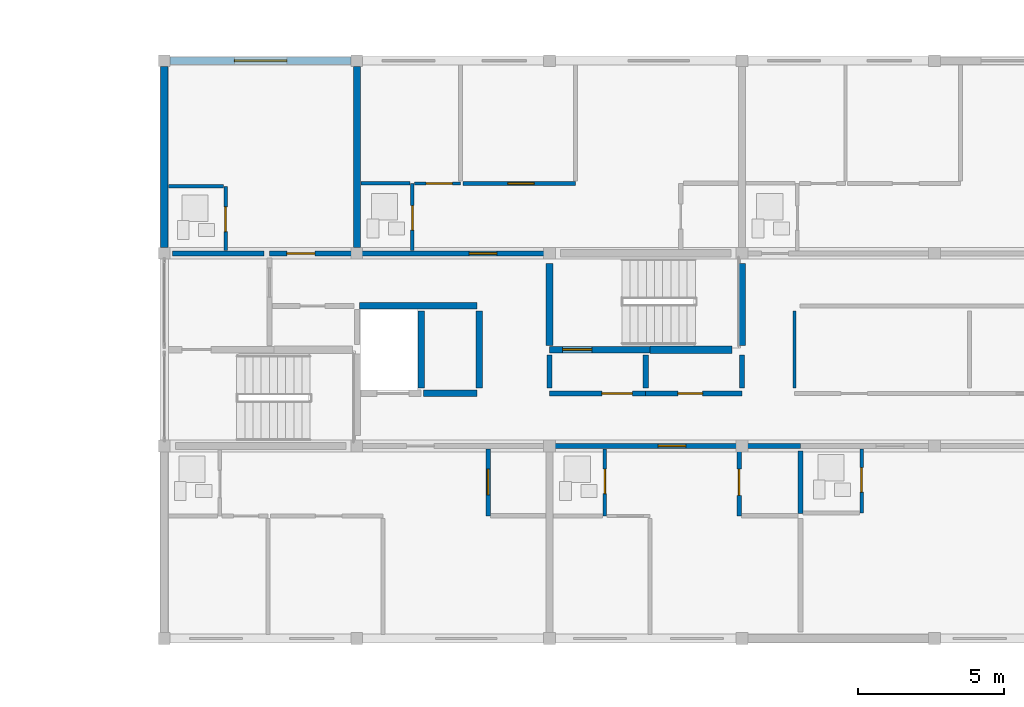
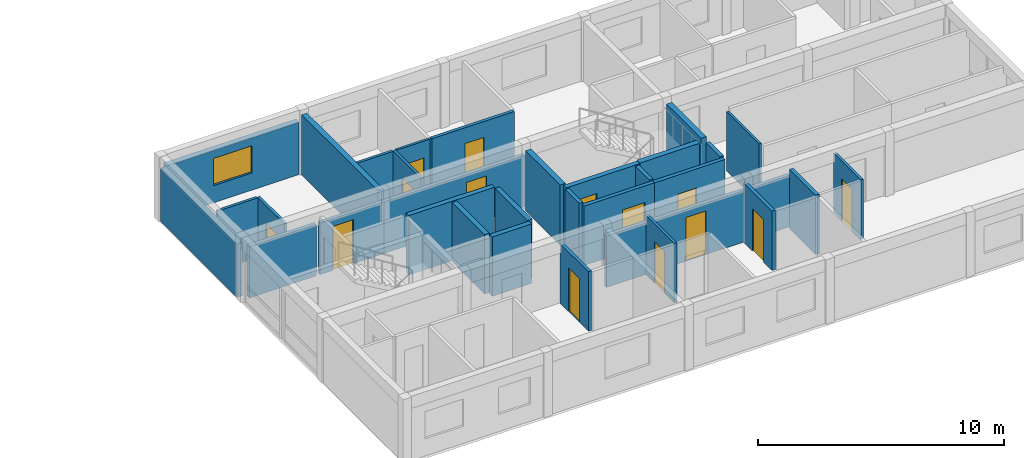
# One storey, part 25 of 34: 32 walls, 14 doors, 1 window, 15 openings.
"""IFC4 building model written with IfcOpenShell, lengths in metres."""

from ifc_helpers import new_model, si_unit, direction, frame, frame_2d, origin, place, context, subcontext, project, spatial, rectangle, extrude, material, layer, layer_set, type_object, element, fill, save


model = new_model("IFC4")

# Units and contexts
model_context = context("Model", 3, precision=1e-05, world=origin(), true_north=direction((0.0, 1.0)))
body_context = subcontext(model_context, "Body", "Model", "MODEL_VIEW")
ifc_project = project(units=[si_unit("LENGTHUNIT", "METRE"), si_unit("AREAUNIT", "SQUARE_METRE"), si_unit("VOLUMEUNIT", "CUBIC_METRE"), si_unit("PLANEANGLEUNIT", "RADIAN"), si_unit("MASSUNIT", "GRAM", prefix="KILO")], contexts=[model_context])

# Site, building, storey
site_placement = place(None, origin())
site = spatial("IfcSite", under=ifc_project, at=site_placement, CompositionType="ELEMENT")
building_placement = place(site_placement, origin())
building = spatial("IfcBuilding", under=site, at=building_placement, Name="Kernevlak Ridge Housing Community", CompositionType="ELEMENT")
storey_placement = place(building_placement, frame((0.0, 0.0, 40.39990234375)))
storey = spatial("IfcBuildingStorey", under=building, at=storey_placement, Name="L12", CompositionType="ELEMENT", Elevation=40.39990234375)

# Wall, opening, window
ifc_material_1 = material(Name="Concrete block masonry M10", Category="masonry")
ifc_layer_1 = layer(ifc_material_1, 0.260009765625, Name="Concrete block masonry M10")
ifc_layer_set_1 = layer_set([ifc_layer_1], Name="Concrete block masonry M10")
wall_type_1 = type_object("IfcWallType", Name="EW-05", PredefinedType="STANDARD", material=ifc_layer_set_1)
wall_1_placement = place(storey_placement, frame((119.60009765625, 102.39990234375, 0.0), z_axis=(0.0, 0.0, 1.0), x_axis=(1.0, 0.0, 0.0)))
wall_1 = element("IfcWall", 1, at=wall_1_placement, inside=storey, type_object=wall_type_1, Name="Exterior wall EW-05 L12 488", PredefinedType="STANDARD", context=body_context, shape_type="SweptSolid", body=[
    extrude(rectangle(XDim=6.199951171875, YDim=0.260009765625, at=frame_2d((3.10009765625, 0.0))), origin(), (0.0, 0.0, 1.0), 2.60009765625),
])
opening_1_placement = place(wall_1_placement, frame((2.199951171875, 0.0, 0.85009765625)))
opening_1 = element("IfcOpeningElement", 2, at=opening_1_placement, cuts=wall_1, Name="Opening WT-03", PredefinedType="OPENING", context=body_context, shape_type="SweptSolid", body=[
    extrude(rectangle(XDim=1.800048828125, YDim=1.35009765625, at=frame_2d((0.89990234375, 0.675048828125))), frame((0.0, 0.139892578125, 0.0), z_axis=(0.0, -1.0, 0.0), x_axis=(1.0, 0.0, 0.0)), (0.0, 0.0, 1.0), 0.280029296875),
])
ifc_material_2 = material(Name="Aluminium EN AW-6060 anodised and laminated glass", Category="aluminium")
window_type = type_object("IfcWindowType", Name="WT-03", PartitioningType="SINGLE_PANEL", PredefinedType="WINDOW", material=ifc_material_2)
window_placement = place(opening_1_placement, origin())
window = element("IfcWindow", 3, at=window_placement, inside=storey, type_object=window_type, Name="Window WT-03 L12 380", OverallHeight=1.35009765625, OverallWidth=1.800048828125, PartitioningType="SINGLE_PANEL", PredefinedType="WINDOW", context=body_context, shape_type="SweptSolid", body=[
    extrude(rectangle(XDim=1.800048828125, YDim=1.35009765625, at=frame_2d((0.89990234375, 0.675048828125))), frame((0.0, 0.030029296875, 0.0), z_axis=(0.0, -1.0, 0.0), x_axis=(1.0, 0.0, 0.0)), (0.0, 0.0, 1.0), 0.06005859375),
])
fill(opening_1, window)

# Walls
wall_2_placement = place(storey_placement, frame((119.39990234375, 96.0, 0.0), z_axis=(0.0, 0.0, 1.0), x_axis=(0.0, 1.0, 0.0)))
element("IfcWall", 4, at=wall_2_placement, inside=storey, type_object=wall_type_1, Name="Exterior wall EW-05 L12 496", PredefinedType="STANDARD", context=body_context, shape_type="SweptSolid", body=[
    extrude(rectangle(XDim=6.199951171875, YDim=0.260009765625, at=frame_2d((3.10009765625, 0.0))), origin(), (0.0, 0.0, 1.0), 2.650146484375),
])
ifc_material_3 = material(Name="Concrete C35/45", Category="concrete")
ifc_layer_2 = layer(ifc_material_3, 0.22509765625, Name="Concrete C35/45")
ifc_layer_set_2 = layer_set([ifc_layer_2], Name="Concrete C35/45")
wall_type_2 = type_object("IfcWallType", Name="PW-01", PredefinedType="STANDARD", material=ifc_layer_set_2)
wall_3_placement = place(storey_placement, frame((128.280029296875, 91.0, 0.0), z_axis=(0.0, 0.0, 1.0), x_axis=(1.0, 0.0, 0.0)))
element("IfcWall", 5, at=wall_3_placement, inside=storey, type_object=wall_type_2, Name="Interior wall PW-01 WAL-INT-L12-1896", PredefinedType="STANDARD", context=body_context, shape_type="SweptSolid", body=[
    extrude(rectangle(XDim=1.840087890625, YDim=0.22509765625, at=frame_2d((0.919921875, 0.0))), origin(), (0.0, 0.0, 1.0), 2.945068359375),
])
wall_4_placement = place(storey_placement, frame((126.097412109375, 94.0, 0.0), z_axis=(0.0, 0.0, 1.0), x_axis=(1.0, 0.0, 0.0)))
element("IfcWall", 6, at=wall_4_placement, inside=storey, type_object=wall_type_2, Name="Interior wall PW-01 WAL-INT-L12-1897", PredefinedType="STANDARD", context=body_context, shape_type="SweptSolid", body=[
    extrude(rectangle(XDim=4.022705078125, YDim=0.22509765625, at=frame_2d((2.01123046875, 0.0))), origin(), (0.0, 0.0, 1.0), 2.945068359375),
])
for number, where, z_axis, x_axis, name in (
    (7, (128.199951171875, 91.179931640625, 0.0), (0.0, 0.0, 1.0), (0.0, 1.0, 0.0), "Interior wall PW-01 WAL-INT-L12-1899"),
    (8, (130.199951171875, 91.179931640625, 0.0), (0.0, 0.0, 1.0), (0.0, 1.0, 0.0), "Interior wall PW-01 WAL-INT-L12-1900"),
):
    element("IfcWall", number, at=place(storey_placement, frame(where, z_axis=z_axis, x_axis=x_axis)), inside=storey, type_object=wall_type_2, Name=name, PredefinedType="STANDARD", context=body_context, shape_type="SweptSolid", body=[
        extrude(rectangle(XDim=2.64013671875, YDim=0.22509765625, at=frame_2d((1.320068359375, 0.0))), origin(), (0.0, 0.0, 1.0), 2.945068359375),
    ])

# Wall, opening, door
wall_5_placement = place(storey_placement, frame((132.60009765625, 92.5, 0.0), z_axis=(0.0, 0.0, 1.0), x_axis=(1.0, 0.0, 0.0)))
wall_5 = element("IfcWall", 9, at=wall_5_placement, inside=storey, type_object=wall_type_2, Name="Interior wall PW-01 WAL-INT-L12-1901", PredefinedType="STANDARD", context=body_context, shape_type="SweptSolid", body=[
    extrude(rectangle(XDim=3.449951171875, YDim=0.22509765625, at=frame_2d((1.72509765625, 0.0))), origin(), (0.0, 0.0, 1.0), 2.945068359375),
])
opening_2_placement = place(wall_5_placement, frame((0.449951171875, 0.0, 0.0)))
opening_2 = element("IfcOpeningElement", 10, at=opening_2_placement, cuts=wall_5, Name="Opening D962", PredefinedType="OPENING", context=body_context, shape_type="SweptSolid", body=[
    extrude(rectangle(XDim=1.0, YDim=2.159912109375, at=frame_2d((0.5, 1.080078125))), frame((0.0, 0.12255859375, 0.0), z_axis=(0.0, -1.0, 0.0), x_axis=(1.0, 0.0, 0.0)), (0.0, 0.0, 1.0), 0.2451171875),
])
ifc_material_4 = material(Name="Fire-rated sheet steel leaf", Category="steel")
door_type_1 = type_object("IfcDoorType", Name="DT-15", OperationType="NOTDEFINED", PredefinedType="DOOR", material=ifc_material_4)
door_1_placement = place(opening_2_placement, origin())
door_1 = element("IfcDoor", 11, at=door_1_placement, inside=storey, type_object=door_type_1, Name="Block B Stair 2 fire door D962", OperationType="SINGLE_SWING_RIGHT", OverallHeight=2.159912109375, OverallWidth=1.0, PredefinedType="DOOR", context=body_context, shape_type="SweptSolid", body=[
    extrude(rectangle(XDim=1.0, YDim=2.159912109375, at=frame_2d((0.5, 1.080078125))), frame((0.0, 0.02490234375, 0.0), z_axis=(0.0, -1.0, 0.0), x_axis=(1.0, 0.0, 0.0)), (0.0, 0.0, 1.0), 0.050048828125),
])
fill(opening_2, door_1)

ifc_layer_3 = layer(ifc_material_1, 0.175048828125, Name="Concrete block masonry M10")
ifc_layer_set_3 = layer_set([ifc_layer_3], Name="Concrete block masonry M10")
wall_type_3 = type_object("IfcWallType", Name="PW-02", PredefinedType="PARTITIONING", material=ifc_layer_set_3)
wall_6_placement = place(storey_placement, frame((132.60009765625, 91.0, 0.0), z_axis=(0.0, 0.0, 1.0), x_axis=(1.0, 0.0, 0.0)))
wall_6 = element("IfcWall", 12, at=wall_6_placement, inside=storey, type_object=wall_type_3, Name="Interior wall PW-02 WAL-INT-L12-1902", PredefinedType="PARTITIONING", context=body_context, shape_type="SweptSolid", body=[
    extrude(rectangle(XDim=3.2998046875, YDim=0.175048828125, at=frame_2d((1.64990234375, 0.0))), origin(), (0.0, 0.0, 1.0), 2.945068359375),
])
opening_3_placement = place(wall_6_placement, frame((1.800048828125, 0.0, 0.0)))
opening_3 = element("IfcOpeningElement", 13, at=opening_3_placement, cuts=wall_6, Name="Opening D963", PredefinedType="OPENING", context=body_context, shape_type="SweptSolid", body=[
    extrude(rectangle(XDim=1.0400390625, YDim=2.1201171875, at=frame_2d((0.52001953125, 1.06005859375))), frame((0.0, 0.097412109375, 0.0), z_axis=(0.0, -1.0, 0.0), x_axis=(1.0, 0.0, 0.0)), (0.0, 0.0, 1.0), 0.195068359375),
])
door_type_2 = type_object("IfcDoorType", Name="DT-16", OperationType="NOTDEFINED", PredefinedType="DOOR", material=ifc_material_4)
door_2_placement = place(opening_3_placement, origin())
door_2 = element("IfcDoor", 14, at=door_2_placement, inside=storey, type_object=door_type_2, Name="Block B Firefighting lobby 2 door D963", OperationType="SINGLE_SWING_LEFT", OverallHeight=2.1201171875, OverallWidth=1.0400390625, PredefinedType="DOOR", context=body_context, shape_type="SweptSolid", body=[
    extrude(rectangle(XDim=1.0400390625, YDim=2.1201171875, at=frame_2d((0.52001953125, 1.06005859375))), frame((0.0, 0.02490234375, 0.0), z_axis=(0.0, -1.0, 0.0), x_axis=(1.0, 0.0, 0.0)), (0.0, 0.0, 1.0), 0.050048828125),
])
fill(opening_3, door_2)

wall_7_placement = place(storey_placement, frame((135.89990234375, 91.0, 0.0), z_axis=(0.0, 0.0, 1.0), x_axis=(1.0, 0.0, 0.0)))
wall_7 = element("IfcWall", 15, at=wall_7_placement, inside=storey, type_object=wall_type_3, Name="Interior wall PW-02 WAL-INT-L12-1903", PredefinedType="PARTITIONING", context=body_context, shape_type="SweptSolid", body=[
    extrude(rectangle(XDim=3.300048828125, YDim=0.175048828125, at=frame_2d((1.64990234375, 0.0))), origin(), (0.0, 0.0, 1.0), 2.945068359375),
])
opening_4_placement = place(wall_7_placement, frame((1.10009765625, 0.0, 0.0)))
opening_4 = element("IfcOpeningElement", 16, at=opening_4_placement, cuts=wall_7, Name="Opening D964", PredefinedType="OPENING", context=body_context, shape_type="SweptSolid", body=[
    extrude(rectangle(XDim=0.85009765625, YDim=2.0, at=frame_2d((0.425048828125, 1.0))), frame((0.0, 0.097412109375, 0.0), z_axis=(0.0, -1.0, 0.0), x_axis=(1.0, 0.0, 0.0)), (0.0, 0.0, 1.0), 0.195068359375),
])
door_type_3 = type_object("IfcDoorType", Name="DT-07", OperationType="NOTDEFINED", PredefinedType="DOOR", material=ifc_material_4)
door_3_placement = place(opening_4_placement, origin())
door_3 = element("IfcDoor", 17, at=door_3_placement, inside=storey, type_object=door_type_3, Name="Block B Cleaner store door D964", OperationType="SINGLE_SWING_RIGHT", OverallHeight=2.0, OverallWidth=0.85009765625, PredefinedType="DOOR", context=body_context, shape_type="SweptSolid", body=[
    extrude(rectangle(XDim=0.85009765625, YDim=2.0, at=frame_2d((0.425048828125, 1.0))), frame((0.0, 0.02490234375, 0.0), z_axis=(0.0, -1.0, 0.0), x_axis=(1.0, 0.0, 0.0)), (0.0, 0.0, 1.0), 0.050048828125),
])
fill(opening_4, door_3)

# Walls
for number, where, z_axis, x_axis, name in (
    (18, (132.60009765625, 91.179931640625, 0.0), (0.0, 0.0, 1.0), (0.0, 1.0, 0.0), "Interior wall PW-02 WAL-INT-L12-1904"),
    (19, (135.89990234375, 91.179931640625, 0.0), (0.0, 0.0, 1.0), (0.0, 1.0, 0.0), "Interior wall PW-02 WAL-INT-L12-1905"),
    (20, (139.199951171875, 91.179931640625, 0.0), (0.0, 0.0, 1.0), (0.0, 1.0, 0.0), "Interior wall PW-02 WAL-INT-L12-1906"),
):
    element("IfcWall", number, at=place(storey_placement, frame(where, z_axis=z_axis, x_axis=x_axis)), inside=storey, type_object=wall_type_3, Name=name, PredefinedType="PARTITIONING", context=body_context, shape_type="SweptSolid", body=[
        extrude(rectangle(XDim=1.14013671875, YDim=0.175048828125, at=frame_2d((0.570068359375, 0.0))), origin(), (0.0, 0.0, 1.0), 2.945068359375),
    ])

# Wall, opening, door
wall_8_placement = place(storey_placement, frame((132.60009765625, 89.199951171875, 0.0), z_axis=(0.0, 0.0, 1.0), x_axis=(1.0, 0.0, 0.0)))
wall_8 = element("IfcWall", 21, at=wall_8_placement, inside=storey, type_object=wall_type_3, Name="Interior wall PW-02 WAL-INT-L12-1921", PredefinedType="PARTITIONING", context=body_context, shape_type="SweptSolid", body=[
    extrude(rectangle(XDim=8.599853515625, YDim=0.175048828125, at=frame_2d((4.2998046875, 0.0))), origin(), (0.0, 0.0, 1.0), 2.550048828125),
])
opening_5_placement = place(wall_8_placement, frame((3.72509765625, 0.0, 0.0)))
opening_5 = element("IfcOpeningElement", 22, at=opening_5_placement, cuts=wall_8, Name="Opening D972", PredefinedType="OPENING", context=body_context, shape_type="SweptSolid", body=[
    extrude(rectangle(XDim=0.949951171875, YDim=2.159912109375, at=frame_2d((0.47509765625, 1.080078125))), frame((0.0, 0.097412109375, 0.0), z_axis=(0.0, -1.0, 0.0), x_axis=(1.0, 0.0, 0.0)), (0.0, 0.0, 1.0), 0.195068359375),
])
ifc_material_5 = material(Name="Hardwood timber solid-core fire leaf", Category="wood")
door_type_4 = type_object("IfcDoorType", Name="DT-02", OperationType="NOTDEFINED", PredefinedType="DOOR", material=ifc_material_5)
door_4_placement = place(opening_5_placement, origin())
door_4 = element("IfcDoor", 23, at=door_4_placement, inside=storey, type_object=door_type_4, Name="Flat B1212 entrance fire door D972", OperationType="SINGLE_SWING_RIGHT", OverallHeight=2.159912109375, OverallWidth=0.949951171875, PredefinedType="DOOR", context=body_context, shape_type="SweptSolid", body=[
    extrude(rectangle(XDim=0.949951171875, YDim=2.159912109375, at=frame_2d((0.47509765625, 1.080078125))), frame((0.0, 0.02490234375, 0.0), z_axis=(0.0, -1.0, 0.0), x_axis=(1.0, 0.0, 0.0)), (0.0, 0.0, 1.0), 0.050048828125),
])
fill(opening_5, door_4)

# Walls
wall_9_placement = place(storey_placement, frame((141.199951171875, 89.02001953125, 0.0), z_axis=(0.0, 0.0, 1.0), x_axis=(0.0, -1.0, 0.0)))
element("IfcWall", 24, at=wall_9_placement, inside=storey, type_object=wall_type_3, Name="Interior wall PW-02 WAL-INT-L12-1928", PredefinedType="PARTITIONING", context=body_context, shape_type="SweptSolid", body=[
    extrude(rectangle(XDim=2.132568359375, YDim=0.175048828125, at=frame_2d((1.06640625, 0.0))), origin(), (0.0, 0.0, 1.0), 2.945068359375),
])
wall_10_placement = place(storey_placement, frame((119.679931640625, 95.800048828125, 0.0), z_axis=(0.0, 0.0, 1.0), x_axis=(1.0, 0.0, 0.0)))
element("IfcWall", 25, at=wall_10_placement, inside=storey, type_object=wall_type_3, Name="Interior wall PW-02 WAL-INT-L12-1932", PredefinedType="PARTITIONING", context=body_context, shape_type="SweptSolid", body=[
    extrude(rectangle(XDim=3.14013671875, YDim=0.175048828125, at=frame_2d((1.570068359375, 0.0))), origin(), (0.0, 0.0, 1.0), 2.550048828125),
])

# Wall, opening, door
wall_11_placement = place(storey_placement, frame((123.0, 95.800048828125, 0.0), z_axis=(0.0, 0.0, 1.0), x_axis=(1.0, 0.0, 0.0)))
wall_11 = element("IfcWall", 26, at=wall_11_placement, inside=storey, type_object=wall_type_3, Name="Interior wall PW-02 WAL-INT-L12-1933", PredefinedType="PARTITIONING", context=body_context, shape_type="SweptSolid", body=[
    extrude(rectangle(XDim=3.0, YDim=0.175048828125, at=frame_2d((1.5, 0.0))), origin(), (0.0, 0.0, 1.0), 2.550048828125),
])
opening_6_placement = place(wall_11_placement, frame((0.60009765625, 0.0, 0.0)))
opening_6 = element("IfcOpeningElement", 27, at=opening_6_placement, cuts=wall_11, Name="Opening D978", PredefinedType="OPENING", context=body_context, shape_type="SweptSolid", body=[
    extrude(rectangle(XDim=0.9599609375, YDim=2.179931640625, at=frame_2d((0.47998046875, 1.08984375))), frame((0.0, 0.097412109375, 0.0), z_axis=(0.0, -1.0, 0.0), x_axis=(1.0, 0.0, 0.0)), (0.0, 0.0, 1.0), 0.195068359375),
])
door_type_5 = type_object("IfcDoorType", Name="DT-29", OperationType="NOTDEFINED", PredefinedType="DOOR", material=ifc_material_5)
door_5_placement = place(opening_6_placement, origin())
door_5 = element("IfcDoor", 28, at=door_5_placement, inside=storey, type_object=door_type_5, Name="Flat B1221 entrance fire door D978", OperationType="SINGLE_SWING_RIGHT", OverallHeight=2.179931640625, OverallWidth=0.9599609375, PredefinedType="DOOR", context=body_context, shape_type="SweptSolid", body=[
    extrude(rectangle(XDim=0.9599609375, YDim=2.179931640625, at=frame_2d((0.47998046875, 1.08984375))), frame((0.0, 0.02490234375, 0.0), z_axis=(0.0, -1.0, 0.0), x_axis=(1.0, 0.0, 0.0)), (0.0, 0.0, 1.0), 0.050048828125),
])
fill(opening_6, door_5)

wall_12_placement = place(storey_placement, frame((126.0, 95.800048828125, 0.0), z_axis=(0.0, 0.0, 1.0), x_axis=(1.0, 0.0, 0.0)))
wall_12 = element("IfcWall", 29, at=wall_12_placement, inside=storey, type_object=wall_type_3, Name="Interior wall PW-02 WAL-INT-L12-1936", PredefinedType="PARTITIONING", context=body_context, shape_type="SweptSolid", body=[
    extrude(rectangle(XDim=6.60009765625, YDim=0.175048828125, at=frame_2d((3.300048828125, 0.0))), origin(), (0.0, 0.0, 1.0), 2.550048828125),
])
opening_7_placement = place(wall_12_placement, frame((3.85009765625, 0.0, 0.0)))
opening_7 = element("IfcOpeningElement", 30, at=opening_7_placement, cuts=wall_12, Name="Opening D980", PredefinedType="OPENING", context=body_context, shape_type="SweptSolid", body=[
    extrude(rectangle(XDim=0.949951171875, YDim=2.159912109375, at=frame_2d((0.47509765625, 1.080078125))), frame((0.0, 0.097412109375, 0.0), z_axis=(0.0, -1.0, 0.0), x_axis=(1.0, 0.0, 0.0)), (0.0, 0.0, 1.0), 0.195068359375),
])
door_6_placement = place(opening_7_placement, origin())
door_6 = element("IfcDoor", 31, at=door_6_placement, inside=storey, type_object=door_type_4, Name="Flat B1222 entrance fire door D980", OperationType="SINGLE_SWING_RIGHT", OverallHeight=2.159912109375, OverallWidth=0.949951171875, PredefinedType="DOOR", context=body_context, shape_type="SweptSolid", body=[
    extrude(rectangle(XDim=0.949951171875, YDim=2.159912109375, at=frame_2d((0.47509765625, 1.080078125))), frame((0.0, 0.02490234375, 0.0), z_axis=(0.0, -1.0, 0.0), x_axis=(1.0, 0.0, 0.0)), (0.0, 0.0, 1.0), 0.050048828125),
])
fill(opening_7, door_6)

ifc_layer_4 = layer(ifc_material_1, 0.14501953125, Name="Concrete block masonry M10")
ifc_layer_set_4 = layer_set([ifc_layer_4], Name="Concrete block masonry M10")
wall_type_4 = type_object("IfcWallType", Name="PW-03", PredefinedType="PARTITIONING", material=ifc_layer_set_4)
wall_13_placement = place(storey_placement, frame((129.632568359375, 98.199951171875, 0.0), z_axis=(0.0, 0.0, 1.0), x_axis=(1.0, 0.0, 0.0)))
wall_13 = element("IfcWall", 32, at=wall_13_placement, inside=storey, type_object=wall_type_4, Name="Interior wall PW-03 WAL-INT-L12-1943", PredefinedType="PARTITIONING", context=body_context, shape_type="SweptSolid", body=[
    extrude(rectangle(XDim=3.859375, YDim=0.14501953125, at=frame_2d((1.9296875, 0.0))), origin(), (0.0, 0.0, 1.0), 2.945068359375),
])
opening_8_placement = place(wall_13_placement, frame((1.5458984375, 0.0, 0.0)))
opening_8 = element("IfcOpeningElement", 33, at=opening_8_placement, cuts=wall_13, Name="Opening D984", PredefinedType="OPENING", context=body_context, shape_type="SweptSolid", body=[
    extrude(rectangle(XDim=0.89990234375, YDim=2.159912109375, at=frame_2d((0.449951171875, 1.080078125))), frame((0.0, 0.08251953125, 0.0), z_axis=(0.0, -1.0, 0.0), x_axis=(1.0, 0.0, 0.0)), (0.0, 0.0, 1.0), 0.1650390625),
])
ifc_material_6 = material(Name="Hardwood timber leaf", Category="wood")
door_type_6 = type_object("IfcDoorType", Name="DT-22", OperationType="NOTDEFINED", PredefinedType="DOOR", material=ifc_material_6)
door_7_placement = place(opening_8_placement, origin())
door_7 = element("IfcDoor", 34, at=door_7_placement, inside=storey, type_object=door_type_6, Name="Flat B1222 bedroom door D984", OperationType="SINGLE_SWING_RIGHT", OverallHeight=2.159912109375, OverallWidth=0.89990234375, PredefinedType="DOOR", context=body_context, shape_type="SweptSolid", body=[
    extrude(rectangle(XDim=0.89990234375, YDim=2.159912109375, at=frame_2d((0.449951171875, 1.080078125))), frame((0.0, 0.02490234375, 0.0), z_axis=(0.0, -1.0, 0.0), x_axis=(1.0, 0.0, 0.0)), (0.0, 0.0, 1.0), 0.050048828125),
])
fill(opening_8, door_7)

ifc_material_7 = material(Name="Gypsum plasterboard EN 520", Category="gypsum")
ifc_layer_5 = layer(ifc_material_7, 0.125, Name="Gypsum plasterboard EN 520")
ifc_layer_set_5 = layer_set([ifc_layer_5], Name="Gypsum plasterboard EN 520")
wall_type_5 = type_object("IfcWallType", Name="PW-04", PredefinedType="PARTITIONING", material=ifc_layer_set_5)
wall_14_placement = place(storey_placement, frame((134.5, 89.1025390625, 0.0), z_axis=(0.0, 0.0, 1.0), x_axis=(0.0, -1.0, 0.0)))
wall_14 = element("IfcWall", 35, at=wall_14_placement, inside=storey, type_object=wall_type_5, Name="Interior wall PW-04 WAL-INT-L12-1922", PredefinedType="PARTITIONING", context=body_context, shape_type="SweptSolid", body=[
    extrude(rectangle(XDim=2.302490234375, YDim=0.125, at=frame_2d((1.1513671875, 0.0))), origin(), (0.0, 0.0, 1.0), 2.945068359375),
])
opening_9_placement = place(wall_14_placement, frame((0.699951171875, 0.0, 0.0)))
opening_9 = element("IfcOpeningElement", 36, at=opening_9_placement, cuts=wall_14, Name="Opening D973", PredefinedType="OPENING", context=body_context, shape_type="SweptSolid", body=[
    extrude(rectangle(XDim=0.840087890625, YDim=2.06005859375, at=frame_2d((0.419921875, 1.030029296875))), frame((0.0, 0.072509765625, 0.0), z_axis=(0.0, -1.0, 0.0), x_axis=(1.0, 0.0, 0.0)), (0.0, 0.0, 1.0), 0.14501953125),
])
ifc_material_8 = material(Name="Hardwood timber moisture-resistant leaf", Category="wood")
door_type_7 = type_object("IfcDoorType", Name="DT-27", OperationType="NOTDEFINED", PredefinedType="DOOR", material=ifc_material_8)
door_8_placement = place(opening_9_placement, origin())
door_8 = element("IfcDoor", 37, at=door_8_placement, inside=storey, type_object=door_type_7, Name="Flat B1212 bathroom door D973", OperationType="SINGLE_SWING_LEFT", OverallHeight=2.06005859375, OverallWidth=0.840087890625, PredefinedType="DOOR", context=body_context, shape_type="SweptSolid", body=[
    extrude(rectangle(XDim=0.840087890625, YDim=2.06005859375, at=frame_2d((0.419921875, 1.030029296875))), frame((0.0, 0.02490234375, 0.0), z_axis=(0.0, -1.0, 0.0), x_axis=(1.0, 0.0, 0.0)), (0.0, 0.0, 1.0), 0.050048828125),
])
fill(opening_9, door_8)

wall_15_placement = place(storey_placement, frame((143.300048828125, 89.1025390625, 0.0), z_axis=(0.0, 0.0, 1.0), x_axis=(0.0, -1.0, 0.0)))
wall_15 = element("IfcWall", 38, at=wall_15_placement, inside=storey, type_object=wall_type_5, Name="Interior wall PW-04 WAL-INT-L12-1930", PredefinedType="PARTITIONING", context=body_context, shape_type="SweptSolid", body=[
    extrude(rectangle(XDim=2.20263671875, YDim=0.125, at=frame_2d((1.101318359375, 0.0))), origin(), (0.0, 0.0, 1.0), 2.945068359375),
])
opening_10_placement = place(wall_15_placement, frame((0.64990234375, 0.0, 0.0)))
opening_10 = element("IfcOpeningElement", 39, at=opening_10_placement, cuts=wall_15, Name="Opening D977", PredefinedType="OPENING", context=body_context, shape_type="SweptSolid", body=[
    extrude(rectangle(XDim=0.840087890625, YDim=2.06005859375, at=frame_2d((0.419921875, 1.030029296875))), frame((0.0, 0.072509765625, 0.0), z_axis=(0.0, -1.0, 0.0), x_axis=(1.0, 0.0, 0.0)), (0.0, 0.0, 1.0), 0.14501953125),
])
door_9_placement = place(opening_10_placement, origin())
door_9 = element("IfcDoor", 40, at=door_9_placement, inside=storey, type_object=door_type_7, Name="Flat B1213 bathroom door D977", OperationType="SINGLE_SWING_LEFT", OverallHeight=2.06005859375, OverallWidth=0.840087890625, PredefinedType="DOOR", context=body_context, shape_type="SweptSolid", body=[
    extrude(rectangle(XDim=0.840087890625, YDim=2.06005859375, at=frame_2d((0.419921875, 1.030029296875))), frame((0.0, 0.02490234375, 0.0), z_axis=(0.0, -1.0, 0.0), x_axis=(1.0, 0.0, 0.0)), (0.0, 0.0, 1.0), 0.050048828125),
])
fill(opening_10, door_9)

wall_16_placement = place(storey_placement, frame((121.5, 95.8974609375, 0.0), z_axis=(0.0, 0.0, 1.0), x_axis=(0.0, 1.0, 0.0)))
wall_16 = element("IfcWall", 41, at=wall_16_placement, inside=storey, type_object=wall_type_5, Name="Interior wall PW-04 WAL-INT-L12-1934", PredefinedType="PARTITIONING", context=body_context, shape_type="SweptSolid", body=[
    extrude(rectangle(XDim=2.20263671875, YDim=0.125, at=frame_2d((1.101318359375, 0.0))), origin(), (0.0, 0.0, 1.0), 2.945068359375),
])
opening_11_placement = place(wall_16_placement, frame((0.64990234375, 0.0, 0.0)))
opening_11 = element("IfcOpeningElement", 42, at=opening_11_placement, cuts=wall_16, Name="Opening D979", PredefinedType="OPENING", context=body_context, shape_type="SweptSolid", body=[
    extrude(rectangle(XDim=0.85009765625, YDim=2.0400390625, at=frame_2d((0.425048828125, 1.02001953125))), frame((0.0, 0.072509765625, 0.0), z_axis=(0.0, -1.0, 0.0), x_axis=(1.0, 0.0, 0.0)), (0.0, 0.0, 1.0), 0.14501953125),
])
door_type_8 = type_object("IfcDoorType", Name="DT-04", OperationType="NOTDEFINED", PredefinedType="DOOR", material=ifc_material_8)
door_10_placement = place(opening_11_placement, origin())
door_10 = element("IfcDoor", 43, at=door_10_placement, inside=storey, type_object=door_type_8, Name="Flat B1221 bathroom door D979", OperationType="SINGLE_SWING_LEFT", OverallHeight=2.0400390625, OverallWidth=0.85009765625, PredefinedType="DOOR", context=body_context, shape_type="SweptSolid", body=[
    extrude(rectangle(XDim=0.85009765625, YDim=2.0400390625, at=frame_2d((0.425048828125, 1.02001953125))), frame((0.0, 0.02490234375, 0.0), z_axis=(0.0, -1.0, 0.0), x_axis=(1.0, 0.0, 0.0)), (0.0, 0.0, 1.0), 0.050048828125),
])
fill(opening_11, door_10)

# Wall
wall_17_placement = place(storey_placement, frame((119.5400390625, 98.10009765625, 0.0), z_axis=(0.0, 0.0, 1.0), x_axis=(1.0, 0.0, 0.0)))
element("IfcWall", 44, at=wall_17_placement, inside=storey, type_object=wall_type_5, Name="Interior wall PW-04 WAL-INT-L12-1935", PredefinedType="PARTITIONING", context=body_context, shape_type="SweptSolid", body=[
    extrude(rectangle(XDim=1.8798828125, YDim=0.125, at=frame_2d((0.93994140625, 0.0))), origin(), (0.0, 0.0, 1.0), 2.945068359375),
])

# Wall, opening, door
wall_18_placement = place(storey_placement, frame((127.89990234375, 95.8974609375, 0.0), z_axis=(0.0, 0.0, 1.0), x_axis=(0.0, 1.0, 0.0)))
wall_18 = element("IfcWall", 45, at=wall_18_placement, inside=storey, type_object=wall_type_5, Name="Interior wall PW-04 WAL-INT-L12-1937", PredefinedType="PARTITIONING", context=body_context, shape_type="SweptSolid", body=[
    extrude(rectangle(XDim=2.302490234375, YDim=0.125, at=frame_2d((1.1513671875, 0.0))), origin(), (0.0, 0.0, 1.0), 2.945068359375),
])
opening_12_placement = place(wall_18_placement, frame((0.699951171875, 0.0, 0.0)))
opening_12 = element("IfcOpeningElement", 46, at=opening_12_placement, cuts=wall_18, Name="Opening D981", PredefinedType="OPENING", context=body_context, shape_type="SweptSolid", body=[
    extrude(rectangle(XDim=0.840087890625, YDim=2.06005859375, at=frame_2d((0.419921875, 1.030029296875))), frame((0.0, 0.072509765625, 0.0), z_axis=(0.0, -1.0, 0.0), x_axis=(1.0, 0.0, 0.0)), (0.0, 0.0, 1.0), 0.14501953125),
])
door_11_placement = place(opening_12_placement, origin())
door_11 = element("IfcDoor", 47, at=door_11_placement, inside=storey, type_object=door_type_7, Name="Flat B1222 bathroom door D981", OperationType="SINGLE_SWING_LEFT", OverallHeight=2.06005859375, OverallWidth=0.840087890625, PredefinedType="DOOR", context=body_context, shape_type="SweptSolid", body=[
    extrude(rectangle(XDim=0.840087890625, YDim=2.06005859375, at=frame_2d((0.419921875, 1.030029296875))), frame((0.0, 0.02490234375, 0.0), z_axis=(0.0, -1.0, 0.0), x_axis=(1.0, 0.0, 0.0)), (0.0, 0.0, 1.0), 0.050048828125),
])
fill(opening_12, door_11)

# Wall
wall_19_placement = place(storey_placement, frame((126.135009765625, 98.199951171875, 0.0), z_axis=(0.0, 0.0, 1.0), x_axis=(1.0, 0.0, 0.0)))
element("IfcWall", 48, at=wall_19_placement, inside=storey, type_object=wall_type_5, Name="Interior wall PW-04 WAL-INT-L12-1938", PredefinedType="PARTITIONING", context=body_context, shape_type="SweptSolid", body=[
    extrude(rectangle(XDim=1.68505859375, YDim=0.125, at=frame_2d((0.842529296875, 0.0))), origin(), (0.0, 0.0, 1.0), 2.945068359375),
])

# Wall, opening, door
ifc_layer_6 = layer(ifc_material_7, 0.155029296875, Name="Gypsum plasterboard EN 520")
ifc_layer_set_6 = layer_set([ifc_layer_6], Name="Gypsum plasterboard EN 520")
wall_type_6 = type_object("IfcWallType", Name="PW-05", PredefinedType="PARTITIONING", material=ifc_layer_set_6)
wall_20_placement = place(storey_placement, frame((130.5, 89.1025390625, 0.0), z_axis=(0.0, 0.0, 1.0), x_axis=(0.0, -1.0, 0.0)))
wall_20 = element("IfcWall", 49, at=wall_20_placement, inside=storey, type_object=wall_type_6, Name="Interior wall PW-05 WAL-INT-L12-1915", PredefinedType="PARTITIONING", context=body_context, shape_type="SweptSolid", body=[
    extrude(rectangle(XDim=2.302490234375, YDim=0.155029296875, at=frame_2d((1.1513671875, 0.0))), origin(), (0.0, 0.0, 1.0), 2.945068359375),
])
opening_13_placement = place(wall_20_placement, frame((0.699951171875, 0.0, 0.0)))
opening_13 = element("IfcOpeningElement", 50, at=opening_13_placement, cuts=wall_20, Name="Opening D969", PredefinedType="OPENING", context=body_context, shape_type="SweptSolid", body=[
    extrude(rectangle(XDim=0.8798828125, YDim=2.159912109375, at=frame_2d((0.43994140625, 1.080078125))), frame((0.0, 0.08740234375, 0.0), z_axis=(0.0, -1.0, 0.0), x_axis=(1.0, 0.0, 0.0)), (0.0, 0.0, 1.0), 0.175048828125),
])
door_type_9 = type_object("IfcDoorType", Name="DT-26", OperationType="NOTDEFINED", PredefinedType="DOOR", material=ifc_material_6)
door_12_placement = place(opening_13_placement, origin())
door_12 = element("IfcDoor", 51, at=door_12_placement, inside=storey, type_object=door_type_9, Name="Flat B1211 kitchen door D969", OperationType="SINGLE_SWING_LEFT", OverallHeight=2.159912109375, OverallWidth=0.8798828125, PredefinedType="DOOR", context=body_context, shape_type="SweptSolid", body=[
    extrude(rectangle(XDim=0.8798828125, YDim=2.159912109375, at=frame_2d((0.43994140625, 1.080078125))), frame((0.0, 0.02490234375, 0.0), z_axis=(0.0, -1.0, 0.0), x_axis=(1.0, 0.0, 0.0)), (0.0, 0.0, 1.0), 0.050048828125),
])
fill(opening_13, door_12)

wall_21_placement = place(storey_placement, frame((139.10009765625, 89.1025390625, 0.0), z_axis=(0.0, 0.0, 1.0), x_axis=(0.0, -1.0, 0.0)))
wall_21 = element("IfcWall", 52, at=wall_21_placement, inside=storey, type_object=wall_type_6, Name="Interior wall PW-05 WAL-INT-L12-1924", PredefinedType="PARTITIONING", context=body_context, shape_type="SweptSolid", body=[
    extrude(rectangle(XDim=2.302490234375, YDim=0.155029296875, at=frame_2d((1.1513671875, 0.0))), origin(), (0.0, 0.0, 1.0), 2.945068359375),
])
opening_14_placement = place(wall_21_placement, frame((0.699951171875, 0.0, 0.0)))
opening_14 = element("IfcOpeningElement", 53, at=opening_14_placement, cuts=wall_21, Name="Opening D974", PredefinedType="OPENING", context=body_context, shape_type="SweptSolid", body=[
    extrude(rectangle(XDim=0.89990234375, YDim=2.10009765625, at=frame_2d((0.449951171875, 1.050048828125))), frame((0.0, 0.08740234375, 0.0), z_axis=(0.0, -1.0, 0.0), x_axis=(1.0, 0.0, 0.0)), (0.0, 0.0, 1.0), 0.175048828125),
])
door_type_10 = type_object("IfcDoorType", Name="DT-21", OperationType="NOTDEFINED", PredefinedType="DOOR", material=ifc_material_6)
door_13_placement = place(opening_14_placement, origin())
door_13 = element("IfcDoor", 54, at=door_13_placement, inside=storey, type_object=door_type_10, Name="Flat B1212 kitchen door D974", OperationType="SINGLE_SWING_RIGHT", OverallHeight=2.10009765625, OverallWidth=0.89990234375, PredefinedType="DOOR", context=body_context, shape_type="SweptSolid", body=[
    extrude(rectangle(XDim=0.89990234375, YDim=2.10009765625, at=frame_2d((0.449951171875, 1.050048828125))), frame((0.0, 0.02490234375, 0.0), z_axis=(0.0, -1.0, 0.0), x_axis=(1.0, 0.0, 0.0)), (0.0, 0.0, 1.0), 0.050048828125),
])
fill(opening_14, door_13)

# Wall
ifc_layer_7 = layer(ifc_material_7, 0.10498046875, Name="Gypsum plasterboard EN 520")
ifc_layer_set_7 = layer_set([ifc_layer_7], Name="Gypsum plasterboard EN 520")
wall_type_7 = type_object("IfcWallType", Name="PW-06", PredefinedType="PARTITIONING", material=ifc_layer_set_7)
wall_22_placement = place(storey_placement, frame((141.0, 91.179931640625, 0.0), z_axis=(0.0, 0.0, 1.0), x_axis=(0.0, 1.0, 0.0)))
element("IfcWall", 55, at=wall_22_placement, inside=storey, type_object=wall_type_7, Name="Interior wall PW-06 WAL-INT-L12-1911", PredefinedType="PARTITIONING", context=body_context, shape_type="SweptSolid", body=[
    extrude(rectangle(XDim=2.64013671875, YDim=0.10498046875, at=frame_2d((1.320068359375, 0.0))), origin(), (0.0, 0.0, 1.0), 2.945068359375),
])

# Wall, opening, door
wall_23_placement = place(storey_placement, frame((127.972412109375, 98.199951171875, 0.0), z_axis=(0.0, 0.0, 1.0), x_axis=(1.0, 0.0, 0.0)))
wall_23 = element("IfcWall", 56, at=wall_23_placement, inside=storey, type_object=wall_type_7, Name="Interior wall PW-06 WAL-INT-L12-1941", PredefinedType="PARTITIONING", context=body_context, shape_type="SweptSolid", body=[
    extrude(rectangle(XDim=1.57763671875, YDim=0.10498046875, at=frame_2d((0.788818359375, 0.0))), origin(), (0.0, 0.0, 1.0), 2.945068359375),
])
opening_15_placement = place(wall_23_placement, frame((0.39990234375, 0.0, 0.0)))
opening_15 = element("IfcOpeningElement", 57, at=opening_15_placement, cuts=wall_23, Name="Opening D983", PredefinedType="OPENING", context=body_context, shape_type="SweptSolid", body=[
    extrude(rectangle(XDim=0.89990234375, YDim=2.10009765625, at=frame_2d((0.449951171875, 1.050048828125))), frame((0.0, 0.0625, 0.0), z_axis=(0.0, -1.0, 0.0), x_axis=(1.0, 0.0, 0.0)), (0.0, 0.0, 1.0), 0.125),
])
door_14_placement = place(opening_15_placement, origin())
door_14 = element("IfcDoor", 58, at=door_14_placement, inside=storey, type_object=door_type_10, Name="Flat B1222 bedroom door D983", OperationType="SINGLE_SWING_LEFT", OverallHeight=2.10009765625, OverallWidth=0.89990234375, PredefinedType="DOOR", context=body_context, shape_type="SweptSolid", body=[
    extrude(rectangle(XDim=0.89990234375, YDim=2.10009765625, at=frame_2d((0.449951171875, 1.050048828125))), frame((0.0, 0.02490234375, 0.0), z_axis=(0.0, -1.0, 0.0), x_axis=(1.0, 0.0, 0.0)), (0.0, 0.0, 1.0), 0.050048828125),
])
fill(opening_15, door_14)

# Walls
ifc_material_9 = material(Name="Concrete C40/50", Category="concrete")
ifc_layer_8 = layer(ifc_material_9, 0.25, Name="Concrete C40/50")
ifc_layer_set_8 = layer_set([ifc_layer_8], Name="Concrete C40/50")
wall_type_8 = type_object("IfcWallType", Name="SW-03", PredefinedType="SHEAR", material=ifc_layer_set_8)
for number, where, z_axis, x_axis, name in (
    (59, (136.050048828125, 92.5, 0.0), (0.0, 0.0, 1.0), (1.0, 0.0, 0.0), "Shear wall SW-03 Block B L12 335"),
    (60, (132.60009765625, 92.64990234375, 0.0), (0.0, 0.0, 1.0), (0.0, 1.0, 0.0), "Shear wall SW-03 Block B L12 336"),
    (61, (139.199951171875, 92.64990234375, 0.0), (0.0, 0.0, 1.0), (0.0, 1.0, 0.0), "Shear wall SW-03 Block B L12 337"),
):
    element("IfcWall", number, at=place(storey_placement, frame(where, z_axis=z_axis, x_axis=x_axis)), inside=storey, type_object=wall_type_8, Name=name, PredefinedType="SHEAR", context=body_context, shape_type="SweptSolid", body=[
        extrude(rectangle(XDim=2.800048828125, YDim=0.25, at=frame_2d((1.39990234375, 0.0))), origin(), (0.0, 0.0, 1.0), 2.97998046875),
    ])
wall_24_placement = place(storey_placement, frame((126.0, 96.0, 0.0), z_axis=(0.0, 0.0, 1.0), x_axis=(0.0, 1.0, 0.0)))
element("IfcWall", 62, at=wall_24_placement, inside=storey, type_object=wall_type_8, Name="Shear wall SW-03 Block B L12 339", PredefinedType="SHEAR", context=body_context, shape_type="SweptSolid", body=[
    extrude(rectangle(XDim=6.199951171875, YDim=0.25, at=frame_2d((3.10009765625, 0.0))), origin(), (0.0, 0.0, 1.0), 2.97998046875),
])

save(model, "model.ifc")
